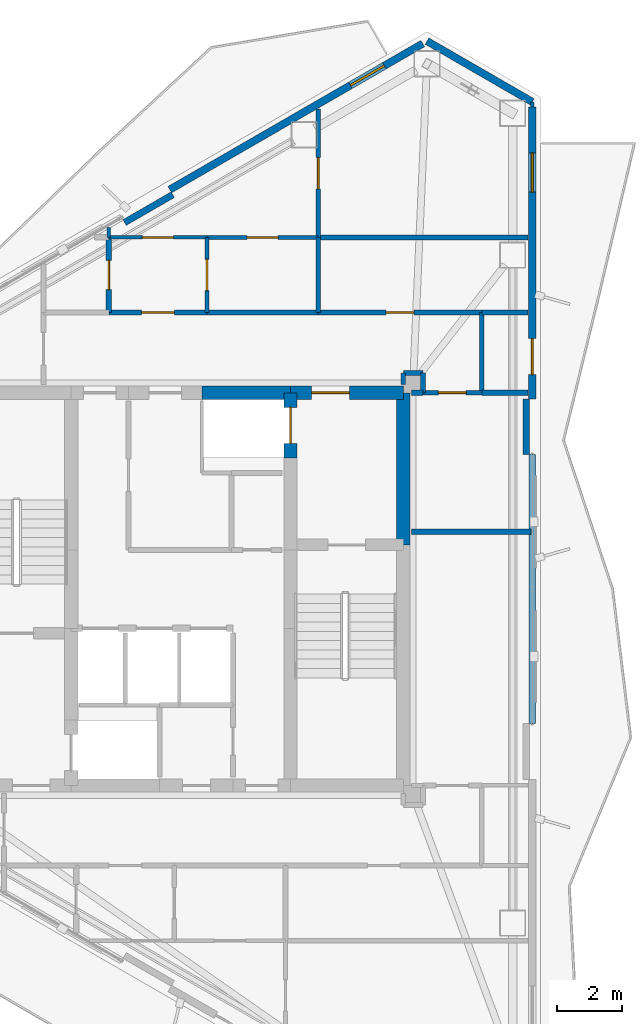
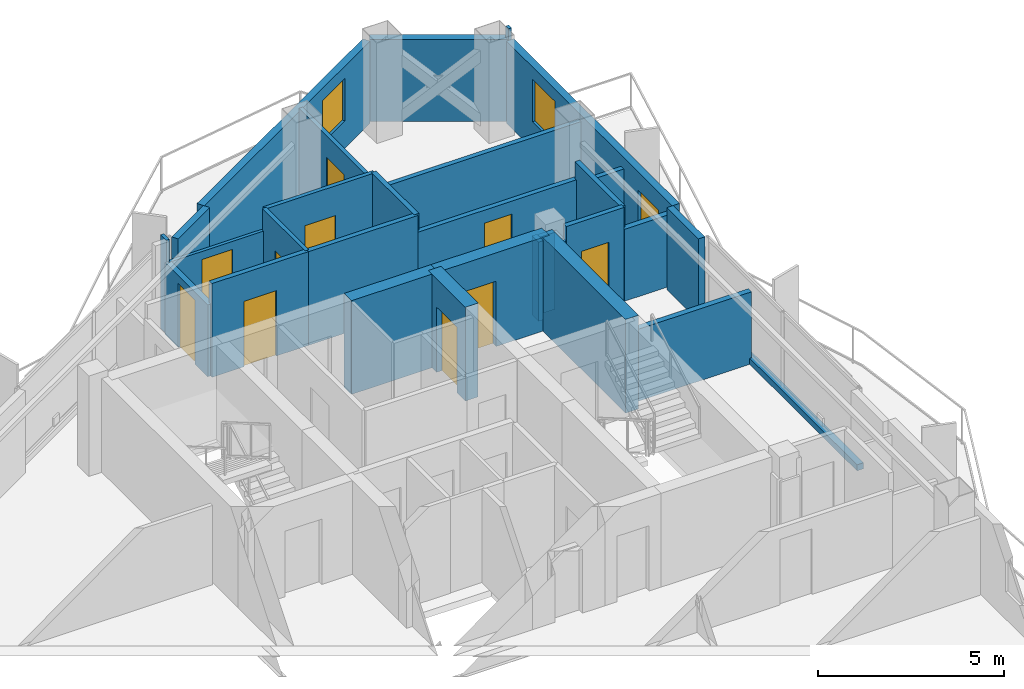
# One storey, part 16 of 18: 31 walls, 11 doors, 2 windows, 13 openings.
"""IFC4 building model written with IfcOpenShell, lengths in metres."""

from ifc_helpers import new_model, si_unit, direction, frame, frame_2d, origin, place, context, subcontext, project, spatial, rectangle, extrude, material, layer, layer_set, type_object, element, fill, save


model = new_model("IFC4")

# Units and contexts
model_context = context("Model", 3, precision=1e-05, world=origin(), true_north=direction((0.0, 1.0)))
body_context = subcontext(model_context, "Body", "Model", "MODEL_VIEW")
ifc_project = project(units=[si_unit("LENGTHUNIT", "METRE"), si_unit("AREAUNIT", "SQUARE_METRE"), si_unit("VOLUMEUNIT", "CUBIC_METRE"), si_unit("PLANEANGLEUNIT", "RADIAN"), si_unit("MASSUNIT", "GRAM", prefix="KILO")], contexts=[model_context])

# Site, building, storey
site_placement = place(None, origin())
site = spatial("IfcSite", under=ifc_project, at=site_placement, CompositionType="ELEMENT")
building_placement = place(site_placement, origin())
building = spatial("IfcBuilding", under=site, at=building_placement, Name="Mersakhor Tower and Convention Hall", CompositionType="ELEMENT")
storey_placement = place(building_placement, frame((0.0, 0.0, 226.5)))
storey = spatial("IfcBuildingStorey", under=building, at=storey_placement, Name="L63", CompositionType="ELEMENT", Elevation=226.5)

# Wall
ifc_material_1 = material(Name="Precast concrete C40/50", Category="concrete")
ifc_layer_1 = layer(ifc_material_1, 0.22509765625)
ifc_layer_set_1 = layer_set([ifc_layer_1], Name="Precast concrete C40/50")
wall_type_1 = type_object("IfcWallType", Name="WL-EXT-225", PredefinedType="SOLIDWALL", material=ifc_layer_set_1)
wall_1_placement = place(storey_placement, frame((36.525146484375, 43.49951171875, 0.0), z_axis=(0.0, 0.0, 1.0), x_axis=(0.866038962515, -0.499976514854, 0.0)))
element("IfcWall", 1, at=wall_1_placement, inside=storey, type_object=wall_type_1, Name="L63 Chamfer Braced Spandrel Wall C1", PredefinedType="SOLIDWALL", context=body_context, shape_type="SweptSolid", body=[
    extrude(rectangle(XDim=3.715576171875, YDim=0.22509765625, at=frame_2d((1.85791015625, 0.0))), origin(), (0.0, 0.0, 1.0), 2.699951171875),
])

# Wall, opening, window
wall_2_placement = place(storey_placement, frame((28.66357421875, 38.96044921875, 0.0), z_axis=(0.0, 0.0, 1.0), x_axis=(0.866026655105, 0.499997832642, 0.0)))
wall_2 = element("IfcWall", 2, at=wall_2_placement, inside=storey, type_object=wall_type_1, Name="L63 Exterior Facade Wall F1-B3", PredefinedType="SOLIDWALL", context=body_context, shape_type="SweptSolid", body=[
    extrude(rectangle(XDim=8.927734375, YDim=0.22509765625, at=frame_2d((4.4638671875, 0.0))), origin(), (0.0, 0.0, 1.0), 2.699951171875),
])
opening_1_placement = place(wall_2_placement, frame((6.3720703125, 0.0, 0.89990234375)))
opening_1 = element("IfcOpeningElement", 3, at=opening_1_placement, cuts=wall_2, Name="Opening W-01", PredefinedType="OPENING", context=body_context, shape_type="SweptSolid", body=[
    extrude(rectangle(XDim=1.199951171875, YDim=1.39990234375, at=frame_2d((0.60009765625, 0.699951171875))), frame((0.0, 0.12255859375, 0.0), z_axis=(0.0, -1.0, 0.0), x_axis=(1.0, 0.0, 0.0)), (0.0, 0.0, 1.0), 0.2451171875),
])
ifc_material_2 = material(Name="Dark solar low-E glazed aluminium window", Category="aluminium")
window_type = type_object("IfcWindowType", Name="WN-RES-120x150", PartitioningType="SINGLE_PANEL", PredefinedType="WINDOW", material=ifc_material_2)
window_1_placement = place(opening_1_placement, origin())
window_1 = element("IfcWindow", 4, at=window_1_placement, inside=storey, type_object=window_type, Name="L63 Bedroom Facade Window F1-B3-1", OverallHeight=1.39990234375, OverallWidth=1.199951171875, PartitioningType="SINGLE_PANEL", PredefinedType="WINDOW", context=body_context, shape_type="SweptSolid", body=[
    extrude(rectangle(XDim=1.199951171875, YDim=1.39990234375, at=frame_2d((0.60009765625, 0.699951171875))), frame((0.0, 0.030029296875, 0.0), z_axis=(0.0, -1.0, 0.0), x_axis=(1.0, 0.0, 0.0)), (0.0, 0.0, 1.0), 0.06005859375),
])
fill(opening_1, window_1)

# Wall, openings, door, window
wall_3_placement = place(storey_placement, frame((39.742919921875, 41.49169921875, 0.0), z_axis=(0.0, 0.0, 1.0), x_axis=(0.0, -1.0, 0.0)))
wall_3 = element("IfcWall", 5, at=wall_3_placement, inside=storey, type_object=wall_type_1, Name="L63 Exterior Facade Wall F2-B1", PredefinedType="SOLIDWALL", context=body_context, shape_type="SweptSolid", body=[
    extrude(rectangle(XDim=8.927734375, YDim=0.22509765625, at=frame_2d((4.4638671875, 0.0))), origin(), (0.0, 0.0, 1.0), 2.699951171875),
])
opening_2_placement = place(wall_3_placement, frame((7.090087890625, 0.0, 0.0)))
opening_2 = element("IfcOpeningElement", 6, at=opening_2_placement, cuts=wall_3, Name="Opening BD-02", PredefinedType="OPENING", context=body_context, shape_type="SweptSolid", body=[
    extrude(rectangle(XDim=1.10009765625, YDim=2.10009765625, at=frame_2d((0.550048828125, 1.050048828125))), frame((0.0, 0.12255859375, 0.0), z_axis=(0.0, -1.0, 0.0), x_axis=(1.0, 0.0, 0.0)), (0.0, 0.0, 1.0), 0.2451171875),
])
opening_3_placement = place(wall_3_placement, frame((1.406005859375, 0.0, 0.89990234375)))
opening_3 = element("IfcOpeningElement", 7, at=opening_3_placement, cuts=wall_3, Name="Opening W-01", PredefinedType="OPENING", context=body_context, shape_type="SweptSolid", body=[
    extrude(rectangle(XDim=1.199951171875, YDim=1.39990234375, at=frame_2d((0.60009765625, 0.699951171875))), frame((0.0, 0.12255859375, 0.0), z_axis=(0.0, -1.0, 0.0), x_axis=(1.0, 0.0, 0.0)), (0.0, 0.0, 1.0), 0.2451171875),
])
ifc_material_3 = material(Name="Thermally broken dark aluminium and safety glass", Category="aluminium")
door_type_1 = type_object("IfcDoorType", Name="DR-BAL-110x210", OperationType="NOTDEFINED", PredefinedType="DOOR", material=ifc_material_3)
door_1_placement = place(opening_2_placement, origin())
door_1 = element("IfcDoor", 8, at=door_1_placement, inside=storey, type_object=door_type_1, Name="L63 Balcony Terrace Door F2-B1", OperationType="SINGLE_SWING_RIGHT", OverallHeight=2.10009765625, OverallWidth=1.10009765625, PredefinedType="DOOR", context=body_context, shape_type="SweptSolid", body=[
    extrude(rectangle(XDim=1.10009765625, YDim=2.10009765625, at=frame_2d((0.550048828125, 1.050048828125))), frame((0.0, 0.02490234375, 0.0), z_axis=(0.0, -1.0, 0.0), x_axis=(1.0, 0.0, 0.0)), (0.0, 0.0, 1.0), 0.050048828125),
])
fill(opening_2, door_1)
window_2_placement = place(opening_3_placement, origin())
window_2 = element("IfcWindow", 9, at=window_2_placement, inside=storey, type_object=window_type, Name="L63 Bedroom Facade Window F2-B1-1", OverallHeight=1.39990234375, OverallWidth=1.199951171875, PartitioningType="SINGLE_PANEL", PredefinedType="WINDOW", context=body_context, shape_type="SweptSolid", body=[
    extrude(rectangle(XDim=1.199951171875, YDim=1.39990234375, at=frame_2d((0.60009765625, 0.699951171875))), frame((0.0, 0.030029296875, 0.0), z_axis=(0.0, -1.0, 0.0), x_axis=(1.0, 0.0, 0.0)), (0.0, 0.0, 1.0), 0.06005859375),
])
fill(opening_3, window_2)

# Walls
ifc_material_4 = material(Name="Precast concrete C40/50", Category="concrete")
ifc_layer_2 = layer(ifc_material_4, 0.199951171875)
ifc_layer_set_2 = layer_set([ifc_layer_2], Name="Precast concrete C40/50")
wall_type_2 = type_object("IfcWallType", Name="WL-PAR-200", PredefinedType="PARAPET", material=ifc_layer_set_2)
wall_4_placement = place(storey_placement, frame((27.28125, 37.95458984375, 0.0), z_axis=(0.0, 0.0, 1.0), x_axis=(0.866025371046, 0.500000056704, 0.0)))
element("IfcWall", 10, at=wall_4_placement, inside=storey, type_object=wall_type_2, Name="L63 Column Pier Cladding Wall F1-C2", PredefinedType="PARAPET", context=body_context, shape_type="SweptSolid", body=[
    extrude(rectangle(XDim=1.7001953125, YDim=0.199951171875, at=frame_2d((0.85009765625, 0.0))), origin(), (0.0, 0.0, 1.0), 2.699951171875),
])
wall_5_placement = place(storey_placement, frame((39.742919921875, 30.864013671875, 0.0), z_axis=(0.0, 0.0, 1.0), x_axis=(0.0, -1.0, 0.0)))
element("IfcWall", 11, at=wall_5_placement, inside=storey, type_object=wall_type_2, Name="L63 Curtain Wall Upstand Sill F2-B2", PredefinedType="PARAPET", context=body_context, shape_type="SweptSolid", body=[
    extrude(rectangle(XDim=8.22802734375, YDim=0.199951171875, at=frame_2d((4.114013671875, 0.0))), origin(), (0.0, 0.0, 1.0), 0.199951171875),
])
wall_6_placement = place(storey_placement, frame((39.562744140625, 32.56396484375, 0.0), z_axis=(0.0, 0.0, 1.0), x_axis=(0.0, -1.0, 0.0)))
element("IfcWall", 12, at=wall_6_placement, inside=storey, type_object=wall_type_2, Name="L63 Column Pier Cladding Wall F2-C1", PredefinedType="PARAPET", context=body_context, shape_type="SweptSolid", body=[
    extrude(rectangle(XDim=1.699951171875, YDim=0.199951171875, at=frame_2d((0.85009765625, 0.0))), origin(), (0.0, 0.0, 1.0), 2.699951171875),
])

# Wall, opening, door
ifc_material_5 = material(Name="Moisture-resistant acoustic drywall studwork", Category="other")
ifc_layer_3 = layer(ifc_material_5, 0.175048828125)
ifc_layer_set_3 = layer_set([ifc_layer_3], Name="Moisture-resistant acoustic drywall studwork")
wall_type_3 = type_object("IfcWallType", Name="WL-PLM-175", PredefinedType="PLUMBINGWALL", material=ifc_layer_set_3)
wall_7_placement = place(storey_placement, frame((26.800048828125, 35.199951171875, 0.0), z_axis=(0.0, 0.0, 1.0), x_axis=(0.0, 1.0, 0.0)))
wall_7 = element("IfcWall", 13, at=wall_7_placement, inside=storey, type_object=wall_type_3, Name="L63 Interior Partition Wall P-038", PredefinedType="PLUMBINGWALL", context=body_context, shape_type="SweptSolid", body=[
    extrude(rectangle(XDim=2.300048828125, YDim=0.175048828125, at=frame_2d((1.14990234375, 0.0))), origin(), (0.0, 0.0, 1.0), 2.364990234375),
])
opening_4_placement = place(wall_7_placement, frame((0.699951171875, 0.0, 0.0)))
opening_4 = element("IfcOpeningElement", 14, at=opening_4_placement, cuts=wall_7, Name="Opening WD-01", PredefinedType="OPENING", context=body_context, shape_type="SweptSolid", body=[
    extrude(rectangle(XDim=0.89990234375, YDim=2.10009765625, at=frame_2d((0.449951171875, 1.050048828125))), frame((0.0, 0.097412109375, 0.0), z_axis=(0.0, -1.0, 0.0), x_axis=(1.0, 0.0, 0.0)), (0.0, 0.0, 1.0), 0.195068359375),
])
ifc_material_6 = material(Name="Solid-core hardwood leaf in painted steel frame", Category="steel")
door_type_2 = type_object("IfcDoorType", Name="DR-INT-WET-090x210", OperationType="NOTDEFINED", PredefinedType="DOOR", material=ifc_material_6)
door_2_placement = place(opening_4_placement, origin())
door_2 = element("IfcDoor", 15, at=door_2_placement, inside=storey, type_object=door_type_2, Name="L63 L63 Flat N1 Apartment Hall to L63 Flat N1 Bathroom Door", OperationType="SINGLE_SWING_RIGHT", OverallHeight=2.10009765625, OverallWidth=0.89990234375, PredefinedType="DOOR", context=body_context, shape_type="SweptSolid", body=[
    extrude(rectangle(XDim=0.89990234375, YDim=2.10009765625, at=frame_2d((0.449951171875, 1.050048828125))), frame((0.0, 0.02490234375, 0.0), z_axis=(0.0, -1.0, 0.0), x_axis=(1.0, 0.0, 0.0)), (0.0, 0.0, 1.0), 0.050048828125),
])
fill(opening_4, door_2)

# Walls
wall_8_placement = place(storey_placement, frame((36.050048828125, 32.75, 0.0), z_axis=(0.0, 0.0, 1.0), x_axis=(1.0, 0.0, 0.0)))
element("IfcWall", 16, at=wall_8_placement, inside=storey, type_object=wall_type_3, Name="L63 Interior Partition Wall P-042", PredefinedType="PLUMBINGWALL", context=body_context, shape_type="SweptSolid", body=[
    extrude(rectangle(XDim=0.349853515625, YDim=0.175048828125, at=frame_2d((0.1748046875, 0.0))), origin(), (0.0, 0.0, 1.0), 2.60498046875),
])
wall_9_placement = place(storey_placement, frame((38.199951171875, 32.75, 0.0), z_axis=(0.0, 0.0, 1.0), x_axis=(1.0, 0.0, 0.0)))
element("IfcWall", 17, at=wall_9_placement, inside=storey, type_object=wall_type_3, Name="L63 Interior Partition Wall P-043", PredefinedType="PLUMBINGWALL", context=body_context, shape_type="SweptSolid", body=[
    extrude(rectangle(XDim=1.40625, YDim=0.175048828125, at=frame_2d((0.703125, 0.0))), origin(), (0.0, 0.0, 1.0), 2.364990234375),
])
wall_10_placement = place(storey_placement, frame((39.702880859375, 28.5, 0.0), z_axis=(0.0, 0.0, 1.0), x_axis=(-1.0, 0.0, 0.0)))
element("IfcWall", 18, at=wall_10_placement, inside=storey, type_object=wall_type_3, Name="L63 Interior Partition Wall P-044", PredefinedType="PLUMBINGWALL", context=body_context, shape_type="SweptSolid", body=[
    extrude(rectangle(XDim=3.65283203125, YDim=0.175048828125, at=frame_2d((1.826416015625, 0.0))), origin(), (0.0, 0.0, 1.0), 2.364990234375),
])

# Wall, opening, door
ifc_material_7 = material(Name="Lightweight gypsum partition", Category="other")
ifc_layer_4 = layer(ifc_material_7, 0.10009765625)
ifc_layer_set_4 = layer_set([ifc_layer_4], Name="Lightweight gypsum partition")
wall_type_4 = type_object("IfcWallType", Name="WL-PRT-100", PredefinedType="PARTITIONING", material=ifc_layer_set_4)
wall_11_placement = place(storey_placement, frame((26.800048828125, 37.5, 0.0), z_axis=(0.0, 0.0, 1.0), x_axis=(1.0, 0.0, 0.0)))
wall_11 = element("IfcWall", 19, at=wall_11_placement, inside=storey, type_object=wall_type_4, Name="L63 Interior Partition Wall P-036", PredefinedType="PARTITIONING", context=body_context, shape_type="SweptSolid", body=[
    extrude(rectangle(XDim=3.0, YDim=0.10009765625, at=frame_2d((1.5, 0.0))), origin(), (0.0, 0.0, 1.0), 2.364990234375),
])
opening_5_placement = place(wall_11_placement, frame((1.02490234375, 0.0, 0.0)))
opening_5 = element("IfcOpeningElement", 20, at=opening_5_placement, cuts=wall_11, Name="Opening RD-01", PredefinedType="OPENING", context=body_context, shape_type="SweptSolid", body=[
    extrude(rectangle(XDim=0.949951171875, YDim=2.10009765625, at=frame_2d((0.47509765625, 1.050048828125))), frame((0.0, 0.06005859375, 0.0), z_axis=(0.0, -1.0, 0.0), x_axis=(1.0, 0.0, 0.0)), (0.0, 0.0, 1.0), 0.1201171875),
])
ifc_material_8 = material(Name="Solid-core hardwood leaf in painted steel frame", Category="steel")
door_type_3 = type_object("IfcDoorType", Name="DR-INT-RM-095x210", OperationType="NOTDEFINED", PredefinedType="DOOR", material=ifc_material_8)
door_3_placement = place(opening_5_placement, origin())
door_3 = element("IfcDoor", 21, at=door_3_placement, inside=storey, type_object=door_type_3, Name="L63 L63 Flat N1 Apartment Hall to L63 Flat N1 Living and Dining Room Door", OperationType="SINGLE_SWING_RIGHT", OverallHeight=2.10009765625, OverallWidth=0.949951171875, PredefinedType="DOOR", context=body_context, shape_type="SweptSolid", body=[
    extrude(rectangle(XDim=0.949951171875, YDim=2.10009765625, at=frame_2d((0.47509765625, 1.050048828125))), frame((0.0, 0.02490234375, 0.0), z_axis=(0.0, -1.0, 0.0), x_axis=(1.0, 0.0, 0.0)), (0.0, 0.0, 1.0), 0.050048828125),
])
fill(opening_5, door_3)

# Walls
wall_12_placement = place(storey_placement, frame((26.800048828125, 37.5, 0.0), z_axis=(0.0, 0.0, 1.0), x_axis=(0.0, 1.0, 0.0)))
element("IfcWall", 22, at=wall_12_placement, inside=storey, type_object=wall_type_4, Name="L63 Interior Partition Wall P-062", PredefinedType="PARTITIONING", context=body_context, shape_type="SweptSolid", body=[
    extrude(rectangle(XDim=0.308349609375, YDim=0.10009765625, at=frame_2d((0.154296875, 0.0))), origin(), (0.0, 0.0, 1.0), 3.080078125),
])
wall_13_placement = place(storey_placement, frame((39.742919921875, 41.64208984375, 0.0), z_axis=(0.0, 0.0, 1.0), x_axis=(0.0, -1.0, 0.0)))
element("IfcWall", 23, at=wall_13_placement, inside=storey, type_object=wall_type_4, Name="L63 Interior Partition Wall P-064", PredefinedType="PARTITIONING", context=body_context, shape_type="SweptSolid", body=[
    extrude(rectangle(XDim=0.150390625, YDim=0.10009765625, at=frame_2d((0.0751953125, 0.0))), origin(), (0.0, 0.0, 1.0), 3.080078125),
])

# Wall, opening, door
ifc_material_9 = material(Name="Gypsum board acoustic partition", Category="other")
ifc_layer_5 = layer(ifc_material_9, 0.125)
ifc_layer_set_5 = layer_set([ifc_layer_5], Name="Gypsum board acoustic partition")
wall_type_5 = type_object("IfcWallType", Name="WL-PRT-125", PredefinedType="PARTITIONING", material=ifc_layer_set_5)
wall_14_placement = place(storey_placement, frame((29.800048828125, 37.5, 0.0), z_axis=(0.0, 0.0, 1.0), x_axis=(0.0, -1.0, 0.0)))
wall_14 = element("IfcWall", 24, at=wall_14_placement, inside=storey, type_object=wall_type_5, Name="L63 Interior Partition Wall P-037", PredefinedType="PARTITIONING", context=body_context, shape_type="SweptSolid", body=[
    extrude(rectangle(XDim=2.300048828125, YDim=0.125, at=frame_2d((1.14990234375, 0.0))), origin(), (0.0, 0.0, 1.0), 3.080078125),
])
opening_6_placement = place(wall_14_placement, frame((0.675048828125, 0.0, 0.0)))
opening_6 = element("IfcOpeningElement", 25, at=opening_6_placement, cuts=wall_14, Name="Opening RD-01", PredefinedType="OPENING", context=body_context, shape_type="SweptSolid", body=[
    extrude(rectangle(XDim=0.949951171875, YDim=2.10009765625, at=frame_2d((0.47509765625, 1.050048828125))), frame((0.0, 0.072509765625, 0.0), z_axis=(0.0, -1.0, 0.0), x_axis=(1.0, 0.0, 0.0)), (0.0, 0.0, 1.0), 0.14501953125),
])
door_4_placement = place(opening_6_placement, origin())
door_4 = element("IfcDoor", 26, at=door_4_placement, inside=storey, type_object=door_type_3, Name="L63 L63 Flat N1 Apartment Hall to L63 Flat N1 Kitchen Door", OperationType="SINGLE_SWING_LEFT", OverallHeight=2.10009765625, OverallWidth=0.949951171875, PredefinedType="DOOR", context=body_context, shape_type="SweptSolid", body=[
    extrude(rectangle(XDim=0.949951171875, YDim=2.10009765625, at=frame_2d((0.47509765625, 1.050048828125))), frame((0.0, 0.02490234375, 0.0), z_axis=(0.0, -1.0, 0.0), x_axis=(1.0, 0.0, 0.0)), (0.0, 0.0, 1.0), 0.050048828125),
])
fill(opening_6, door_4)

wall_15_placement = place(storey_placement, frame((29.800048828125, 37.5, 0.0), z_axis=(0.0, 0.0, 1.0), x_axis=(1.0, 0.0, 0.0)))
wall_15 = element("IfcWall", 27, at=wall_15_placement, inside=storey, type_object=wall_type_5, Name="L63 Interior Partition Wall P-047", PredefinedType="PARTITIONING", context=body_context, shape_type="SweptSolid", body=[
    extrude(rectangle(XDim=3.39990234375, YDim=0.125, at=frame_2d((1.699951171875, 0.0))), origin(), (0.0, 0.0, 1.0), 3.080078125),
])
opening_7_placement = place(wall_15_placement, frame((1.22509765625, 0.0, 0.0)))
opening_7 = element("IfcOpeningElement", 28, at=opening_7_placement, cuts=wall_15, Name="Opening RD-01", PredefinedType="OPENING", context=body_context, shape_type="SweptSolid", body=[
    extrude(rectangle(XDim=0.949951171875, YDim=2.10009765625, at=frame_2d((0.47509765625, 1.050048828125))), frame((0.0, 0.072509765625, 0.0), z_axis=(0.0, -1.0, 0.0), x_axis=(1.0, 0.0, 0.0)), (0.0, 0.0, 1.0), 0.14501953125),
])
door_5_placement = place(opening_7_placement, origin())
door_5 = element("IfcDoor", 29, at=door_5_placement, inside=storey, type_object=door_type_3, Name="L63 L63 Flat N1 Kitchen to L63 Flat N1 Living and Dining Room Door", OperationType="SINGLE_SWING_RIGHT", OverallHeight=2.10009765625, OverallWidth=0.949951171875, PredefinedType="DOOR", context=body_context, shape_type="SweptSolid", body=[
    extrude(rectangle(XDim=0.949951171875, YDim=2.10009765625, at=frame_2d((0.47509765625, 1.050048828125))), frame((0.0, 0.02490234375, 0.0), z_axis=(0.0, -1.0, 0.0), x_axis=(1.0, 0.0, 0.0)), (0.0, 0.0, 1.0), 0.050048828125),
])
fill(opening_7, door_5)

wall_16_placement = place(storey_placement, frame((33.199951171875, 41.422119140625, 0.0), z_axis=(0.0, 0.0, 1.0), x_axis=(0.0, -1.0, 0.0)))
wall_16 = element("IfcWall", 30, at=wall_16_placement, inside=storey, type_object=wall_type_5, Name="L63 Interior Partition Wall P-063", PredefinedType="PARTITIONING", context=body_context, shape_type="SweptSolid", body=[
    extrude(rectangle(XDim=3.922119140625, YDim=0.125, at=frame_2d((1.9609375, 0.0))), origin(), (0.0, 0.0, 1.0), 2.8046875),
])
opening_8_placement = place(wall_16_placement, frame((1.486083984375, 0.0, 0.0)))
opening_8 = element("IfcOpeningElement", 31, at=opening_8_placement, cuts=wall_16, Name="Opening RD-01", PredefinedType="OPENING", context=body_context, shape_type="SweptSolid", body=[
    extrude(rectangle(XDim=0.949951171875, YDim=2.10009765625, at=frame_2d((0.47509765625, 1.050048828125))), frame((0.0, 0.072509765625, 0.0), z_axis=(0.0, -1.0, 0.0), x_axis=(1.0, 0.0, 0.0)), (0.0, 0.0, 1.0), 0.14501953125),
])
door_6_placement = place(opening_8_placement, origin())
door_6 = element("IfcDoor", 32, at=door_6_placement, inside=storey, type_object=door_type_3, Name="L63 L63 Flat N1 Living and Dining Room to L63 Flat N1 Master Bedroom Door", OperationType="SINGLE_SWING_RIGHT", OverallHeight=2.10009765625, OverallWidth=0.949951171875, PredefinedType="DOOR", context=body_context, shape_type="SweptSolid", body=[
    extrude(rectangle(XDim=0.949951171875, YDim=2.10009765625, at=frame_2d((0.47509765625, 1.050048828125))), frame((0.0, 0.02490234375, 0.0), z_axis=(0.0, -1.0, 0.0), x_axis=(1.0, 0.0, 0.0)), (0.0, 0.0, 1.0), 0.050048828125),
])
fill(opening_8, door_6)

ifc_material_10 = material(Name="Fire-rated gypsum board stud partition", Category="other")
ifc_layer_6 = layer(ifc_material_10, 0.14990234375)
ifc_layer_set_6 = layer_set([ifc_layer_6], Name="Fire-rated gypsum board stud partition")
wall_type_6 = type_object("IfcWallType", Name="WL-PRT-150", PredefinedType="PARTITIONING", material=ifc_layer_set_6)
wall_17_placement = place(storey_placement, frame((26.800048828125, 35.199951171875, 0.0), z_axis=(0.0, 0.0, 1.0), x_axis=(1.0, 0.0, 0.0)))
wall_17 = element("IfcWall", 33, at=wall_17_placement, inside=storey, type_object=wall_type_6, Name="L63 Interior Partition Wall P-017", PredefinedType="PARTITIONING", context=body_context, shape_type="SweptSolid", body=[
    extrude(rectangle(XDim=3.0, YDim=0.14990234375, at=frame_2d((1.5, 0.0))), origin(), (0.0, 0.0, 1.0), 3.080078125),
])
opening_9_placement = place(wall_17_placement, frame((1.0, 0.0, 0.0)))
opening_9 = element("IfcOpeningElement", 34, at=opening_9_placement, cuts=wall_17, Name="Opening FD-01", PredefinedType="OPENING", context=body_context, shape_type="SweptSolid", body=[
    extrude(rectangle(XDim=1.0, YDim=2.14990234375, at=frame_2d((0.5, 1.074951171875))), frame((0.0, 0.0849609375, 0.0), z_axis=(0.0, -1.0, 0.0), x_axis=(1.0, 0.0, 0.0)), (0.0, 0.0, 1.0), 0.169921875),
])
ifc_material_11 = material(Name="Fire-rated hardwood leaf and painted steel frame", Category="steel")
door_type_4 = type_object("IfcDoorType", Name="DR-INT-FLT-100x215", OperationType="NOTDEFINED", PredefinedType="DOOR", material=ifc_material_11)
door_7_placement = place(opening_9_placement, origin())
door_7 = element("IfcDoor", 35, at=door_7_placement, inside=storey, type_object=door_type_4, Name="L63 Apartment Entrance Door (Residential North Gallery Corridor to L63 Flat N1 Apartment Hall)", OperationType="SINGLE_SWING_RIGHT", OverallHeight=2.14990234375, OverallWidth=1.0, PredefinedType="DOOR", context=body_context, shape_type="SweptSolid", body=[
    extrude(rectangle(XDim=1.0, YDim=2.14990234375, at=frame_2d((0.5, 1.074951171875))), frame((0.0, 0.02490234375, 0.0), z_axis=(0.0, -1.0, 0.0), x_axis=(1.0, 0.0, 0.0)), (0.0, 0.0, 1.0), 0.050048828125),
])
fill(opening_9, door_7)

# Wall
wall_18_placement = place(storey_placement, frame((29.800048828125, 35.199951171875, 0.0), z_axis=(0.0, 0.0, 1.0), x_axis=(1.0, 0.0, 0.0)))
element("IfcWall", 36, at=wall_18_placement, inside=storey, type_object=wall_type_6, Name="L63 Interior Partition Wall P-018", PredefinedType="PARTITIONING", context=body_context, shape_type="SweptSolid", body=[
    extrude(rectangle(XDim=3.39990234375, YDim=0.14990234375, at=frame_2d((1.699951171875, 0.0))), origin(), (0.0, 0.0, 1.0), 3.080078125),
])

# Wall, opening, door
wall_19_placement = place(storey_placement, frame((33.199951171875, 35.199951171875, 0.0), z_axis=(0.0, 0.0, 1.0), x_axis=(1.0, 0.0, 0.0)))
wall_19 = element("IfcWall", 37, at=wall_19_placement, inside=storey, type_object=wall_type_6, Name="L63 Interior Partition Wall P-019", PredefinedType="PARTITIONING", context=body_context, shape_type="SweptSolid", body=[
    extrude(rectangle(XDim=5.0, YDim=0.14990234375, at=frame_2d((2.5, 0.0))), origin(), (0.0, 0.0, 1.0), 2.5283203125),
])
opening_10_placement = place(wall_19_placement, frame((2.074951171875, 0.0, 0.0)))
opening_10 = element("IfcOpeningElement", 38, at=opening_10_placement, cuts=wall_19, Name="Opening SVD-01", PredefinedType="OPENING", context=body_context, shape_type="SweptSolid", body=[
    extrude(rectangle(XDim=0.85009765625, YDim=2.10009765625, at=frame_2d((0.425048828125, 1.050048828125))), frame((0.0, 0.0849609375, 0.0), z_axis=(0.0, -1.0, 0.0), x_axis=(1.0, 0.0, 0.0)), (0.0, 0.0, 1.0), 0.169921875),
])
ifc_material_12 = material(Name="Fire-rated hardwood leaf and painted steel frame", Category="steel")
door_type_5 = type_object("IfcDoorType", Name="DR-INT-SVC-085x210", OperationType="NOTDEFINED", PredefinedType="DOOR", material=ifc_material_12)
door_8_placement = place(opening_10_placement, origin())
door_8 = element("IfcDoor", 39, at=door_8_placement, inside=storey, type_object=door_type_5, Name="L63 Residential North Gallery Corridor to L63 North-East Household Store Door", OperationType="SINGLE_SWING_LEFT", OverallHeight=2.10009765625, OverallWidth=0.85009765625, PredefinedType="DOOR", context=body_context, shape_type="SweptSolid", body=[
    extrude(rectangle(XDim=0.85009765625, YDim=2.10009765625, at=frame_2d((0.425048828125, 1.050048828125))), frame((0.0, 0.02490234375, 0.0), z_axis=(0.0, -1.0, 0.0), x_axis=(1.0, 0.0, 0.0)), (0.0, 0.0, 1.0), 0.050048828125),
])
fill(opening_10, door_8)

# Wall
wall_20_placement = place(storey_placement, frame((38.199951171875, 35.199951171875, 0.0), z_axis=(0.0, 0.0, 1.0), x_axis=(0.0, -1.0, 0.0)))
element("IfcWall", 40, at=wall_20_placement, inside=storey, type_object=wall_type_6, Name="L63 Interior Partition Wall P-020", PredefinedType="PARTITIONING", context=body_context, shape_type="SweptSolid", body=[
    extrude(rectangle(XDim=2.449951171875, YDim=0.14990234375, at=frame_2d((1.22509765625, 0.0))), origin(), (0.0, 0.0, 1.0), 3.080078125),
])

# Wall, opening, door
wall_21_placement = place(storey_placement, frame((38.199951171875, 32.75, 0.0), z_axis=(0.0, 0.0, 1.0), x_axis=(-1.0, 0.0, 0.0)))
wall_21 = element("IfcWall", 41, at=wall_21_placement, inside=storey, type_object=wall_type_6, Name="L63 Interior Partition Wall P-021", PredefinedType="PARTITIONING", context=body_context, shape_type="SweptSolid", body=[
    extrude(rectangle(XDim=1.800048828125, YDim=0.14990234375, at=frame_2d((0.89990234375, 0.0))), origin(), (0.0, 0.0, 1.0), 3.080078125),
])
opening_11_placement = place(wall_21_placement, frame((0.47509765625, 0.0, 0.0)))
opening_11 = element("IfcOpeningElement", 42, at=opening_11_placement, cuts=wall_21, Name="Opening SVD-01", PredefinedType="OPENING", context=body_context, shape_type="SweptSolid", body=[
    extrude(rectangle(XDim=0.85009765625, YDim=2.10009765625, at=frame_2d((0.425048828125, 1.050048828125))), frame((0.0, 0.0849609375, 0.0), z_axis=(0.0, -1.0, 0.0), x_axis=(1.0, 0.0, 0.0)), (0.0, 0.0, 1.0), 0.169921875),
])
door_9_placement = place(opening_11_placement, origin())
door_9 = element("IfcDoor", 43, at=door_9_placement, inside=storey, type_object=door_type_5, Name="L63 Residential North Gallery Corridor to L63 East Crown Public Restroom WC Door", OperationType="SINGLE_SWING_LEFT", OverallHeight=2.10009765625, OverallWidth=0.85009765625, PredefinedType="DOOR", context=body_context, shape_type="SweptSolid", body=[
    extrude(rectangle(XDim=0.85009765625, YDim=2.10009765625, at=frame_2d((0.425048828125, 1.050048828125))), frame((0.0, 0.02490234375, 0.0), z_axis=(0.0, -1.0, 0.0), x_axis=(1.0, 0.0, 0.0)), (0.0, 0.0, 1.0), 0.050048828125),
])
fill(opening_11, door_9)

# Walls
wall_22_placement = place(storey_placement, frame((36.39990234375, 32.75, 0.0), z_axis=(0.0, 0.0, 1.0), x_axis=(0.0, 1.0, 0.0)))
element("IfcWall", 44, at=wall_22_placement, inside=storey, type_object=wall_type_6, Name="L63 Interior Partition Wall P-022", PredefinedType="PARTITIONING", context=body_context, shape_type="SweptSolid", body=[
    extrude(rectangle(XDim=0.60009765625, YDim=0.14990234375, at=frame_2d((0.300048828125, 0.0))), origin(), (0.0, 0.0, 1.0), 2.5283203125),
])
wall_23_placement = place(storey_placement, frame((36.39990234375, 33.35009765625, 0.0), z_axis=(0.0, 0.0, 1.0), x_axis=(-1.0, 0.0, 0.0)))
element("IfcWall", 45, at=wall_23_placement, inside=storey, type_object=wall_type_6, Name="L63 Interior Partition Wall P-023", PredefinedType="PARTITIONING", context=body_context, shape_type="SweptSolid", body=[
    extrude(rectangle(XDim=0.599853515625, YDim=0.14990234375, at=frame_2d((0.2998046875, 0.0))), origin(), (0.0, 0.0, 1.0), 2.5283203125),
])
wall_24_placement = place(storey_placement, frame((35.800048828125, 33.35009765625, 0.0), z_axis=(0.0, 0.0, 1.0), x_axis=(0.0, -1.0, 0.0)))
element("IfcWall", 46, at=wall_24_placement, inside=storey, type_object=wall_type_6, Name="L63 Interior Partition Wall P-024", PredefinedType="PARTITIONING", context=body_context, shape_type="SweptSolid", body=[
    extrude(rectangle(XDim=0.35009765625, YDim=0.14990234375, at=frame_2d((0.175048828125, 0.0))), origin(), (0.0, 0.0, 1.0), 2.60498046875),
])
wall_25_placement = place(storey_placement, frame((33.199951171875, 37.5, 0.0), z_axis=(0.0, 0.0, 1.0), x_axis=(0.0, -1.0, 0.0)))
element("IfcWall", 47, at=wall_25_placement, inside=storey, type_object=wall_type_6, Name="L63 Interior Partition Wall P-048", PredefinedType="PARTITIONING", context=body_context, shape_type="SweptSolid", body=[
    extrude(rectangle(XDim=2.300048828125, YDim=0.14990234375, at=frame_2d((1.14990234375, 0.0))), origin(), (0.0, 0.0, 1.0), 3.080078125),
])
wall_26_placement = place(storey_placement, frame((39.606201171875, 35.199951171875, 0.0), z_axis=(0.0, 0.0, 1.0), x_axis=(-1.0, 0.0, 0.0)))
element("IfcWall", 48, at=wall_26_placement, inside=storey, type_object=wall_type_6, Name="L63 Interior Partition Wall P-053", PredefinedType="PARTITIONING", context=body_context, shape_type="SweptSolid", body=[
    extrude(rectangle(XDim=1.40625, YDim=0.14990234375, at=frame_2d((0.703125, 0.0))), origin(), (0.0, 0.0, 1.0), 2.364990234375),
])
wall_27_placement = place(storey_placement, frame((33.199951171875, 37.5, 0.0), z_axis=(0.0, 0.0, 1.0), x_axis=(1.0, 0.0, 0.0)))
element("IfcWall", 49, at=wall_27_placement, inside=storey, type_object=wall_type_6, Name="L63 Interior Partition Wall P-054", PredefinedType="PARTITIONING", context=body_context, shape_type="SweptSolid", body=[
    extrude(rectangle(XDim=6.40625, YDim=0.14990234375, at=frame_2d((3.203125, 0.0))), origin(), (0.0, 0.0, 1.0), 2.5283203125),
])
ifc_material_13 = material(Name="Concrete C60/75", Category="concrete")
ifc_layer_7 = layer(ifc_material_13, 0.39990234375)
ifc_layer_set_7 = layer_set([ifc_layer_7], Name="Concrete C60/75")
wall_type_7 = type_object("IfcWallType", Name="WL-SHR-400", PredefinedType="SHEAR", material=ifc_layer_set_7)
wall_28_placement = place(storey_placement, frame((29.64990234375, 32.75, 0.0), z_axis=(0.0, 0.0, 1.0), x_axis=(1.0, 0.0, 0.0)))
element("IfcWall", 50, at=wall_28_placement, inside=storey, type_object=wall_type_7, Name="L63 Core Wall CW-N3", PredefinedType="SHEAR", context=body_context, shape_type="SweptSolid", body=[
    extrude(rectangle(XDim=2.7001953125, YDim=0.39990234375, at=frame_2d((1.35009765625, 0.0))), origin(), (0.0, 0.0, 1.0), 3.080078125),
])

# Wall, opening, door
wall_29_placement = place(storey_placement, frame((32.35009765625, 32.75, 0.0), z_axis=(0.0, 0.0, 1.0), x_axis=(1.0, 0.0, 0.0)))
wall_29 = element("IfcWall", 51, at=wall_29_placement, inside=storey, type_object=wall_type_7, Name="L63 Core Wall CW-N4", PredefinedType="SHEAR", context=body_context, shape_type="SweptSolid", body=[
    extrude(rectangle(XDim=3.449951171875, YDim=0.39990234375, at=frame_2d((1.72509765625, 0.0))), origin(), (0.0, 0.0, 1.0), 3.080078125),
])
opening_12_placement = place(wall_29_placement, frame((0.64990234375, 0.0, 0.0)))
opening_12 = element("IfcOpeningElement", 52, at=opening_12_placement, cuts=wall_29, Name="Opening SD-01", PredefinedType="OPENING", context=body_context, shape_type="SweptSolid", body=[
    extrude(rectangle(XDim=1.14990234375, YDim=2.14990234375, at=frame_2d((0.574951171875, 1.074951171875))), frame((0.0, 0.2099609375, 0.0), z_axis=(0.0, -1.0, 0.0), x_axis=(1.0, 0.0, 0.0)), (0.0, 0.0, 1.0), 0.419921875),
])
ifc_material_14 = material(Name="Fire-rated hardwood leaf and painted steel frame", Category="steel")
door_type_6 = type_object("IfcDoorType", Name="DR-INT-STAIR-115x215", OperationType="NOTDEFINED", PredefinedType="DOOR", material=ifc_material_14)
door_10_placement = place(opening_12_placement, origin())
door_10 = element("IfcDoor", 53, at=door_10_placement, inside=storey, type_object=door_type_6, Name="L63 Firefighting Lobby East Fire Door", OperationType="SINGLE_SWING_RIGHT", OverallHeight=2.14990234375, OverallWidth=1.14990234375, PredefinedType="DOOR", context=body_context, shape_type="SweptSolid", body=[
    extrude(rectangle(XDim=1.14990234375, YDim=2.14990234375, at=frame_2d((0.574951171875, 1.074951171875))), frame((0.0, 0.02490234375, 0.0), z_axis=(0.0, -1.0, 0.0), x_axis=(1.0, 0.0, 0.0)), (0.0, 0.0, 1.0), 0.050048828125),
])
fill(opening_12, door_10)

# Wall
wall_30_placement = place(storey_placement, frame((35.800048828125, 32.75, 0.0), z_axis=(0.0, 0.0, 1.0), x_axis=(0.0, -1.0, 0.0)))
element("IfcWall", 54, at=wall_30_placement, inside=storey, type_object=wall_type_7, Name="L63 Core Wall CW-E1", PredefinedType="SHEAR", context=body_context, shape_type="SweptSolid", body=[
    extrude(rectangle(XDim=4.64990234375, YDim=0.39990234375, at=frame_2d((2.324951171875, 0.0))), origin(), (0.0, 0.0, 1.0), 3.080078125),
])

# Wall, opening, door
wall_31_placement = place(storey_placement, frame((32.35009765625, 30.75, 0.0), z_axis=(0.0, 0.0, 1.0), x_axis=(0.0, 1.0, 0.0)))
wall_31 = element("IfcWall", 55, at=wall_31_placement, inside=storey, type_object=wall_type_7, Name="L63 Core Wall CS-E-FFL", PredefinedType="SHEAR", context=body_context, shape_type="SweptSolid", body=[
    extrude(rectangle(XDim=2.0, YDim=0.39990234375, at=frame_2d((1.0, 0.0))), origin(), (0.0, 0.0, 1.0), 3.080078125),
])
opening_13_placement = place(wall_31_placement, frame((0.449951171875, 0.0, 0.0)))
opening_13 = element("IfcOpeningElement", 56, at=opening_13_placement, cuts=wall_31, Name="Opening LD-FFL2", PredefinedType="OPENING", context=body_context, shape_type="SweptSolid", body=[
    extrude(rectangle(XDim=1.10009765625, YDim=2.14990234375, at=frame_2d((0.550048828125, 1.074951171875))), frame((0.0, 0.2099609375, 0.0), z_axis=(0.0, -1.0, 0.0), x_axis=(1.0, 0.0, 0.0)), (0.0, 0.0, 1.0), 0.419921875),
])
ifc_material_15 = material(Name="Fire-rated brushed stainless steel sliding landing door", Category="steel")
door_type_7 = type_object("IfcDoorType", Name="DR-LIFT-SLD-110x215", OperationType="NOTDEFINED", PredefinedType="DOOR", material=ifc_material_15)
door_11_placement = place(opening_13_placement, origin())
door_11 = element("IfcDoor", 57, at=door_11_placement, inside=storey, type_object=door_type_7, Name="L63 Firefighting Lift Landing Door LD-FFL2", OperationType="SLIDING_TO_LEFT", OverallHeight=2.14990234375, OverallWidth=1.10009765625, PredefinedType="DOOR", context=body_context, shape_type="SweptSolid", body=[
    extrude(rectangle(XDim=1.10009765625, YDim=2.14990234375, at=frame_2d((0.550048828125, 1.074951171875))), frame((0.0, 0.02490234375, 0.0), z_axis=(0.0, -1.0, 0.0), x_axis=(1.0, 0.0, 0.0)), (0.0, 0.0, 1.0), 0.050048828125),
])
fill(opening_13, door_11)

save(model, "model.ifc")
